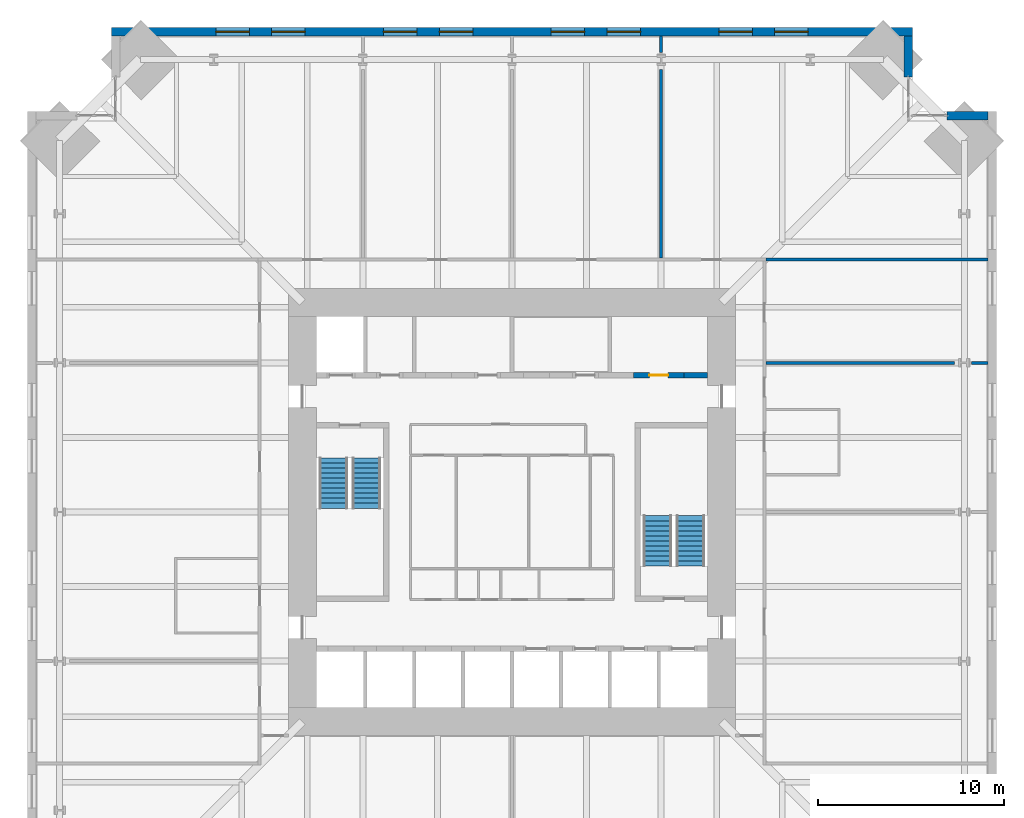
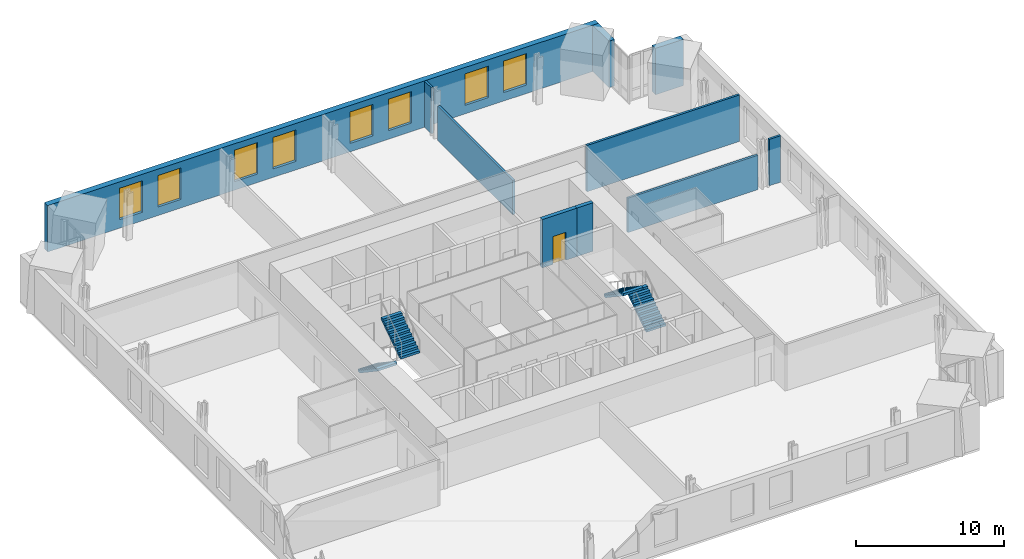
# One storey, part 17 of 18: 10 walls, 8 windows, 4 stair flights, 1 door, 9 openings, 2 elements without a shape of their own.
"""IFC4 building model written with IfcOpenShell, lengths in metres."""

from ifc_helpers import new_model, si_unit, direction, frame, frame_2d, origin, place, context, subcontext, project, spatial, polyline, rectangle, outline, extrude, material, layer, layer_set, type_object, element, fill, aggregate, save


model = new_model("IFC4")

# Units and contexts
model_context = context("Model", 3, precision=1e-05, world=origin(), true_north=direction((0.0, 1.0)))
body_context = subcontext(model_context, "Body", "Model", "MODEL_VIEW")
ifc_project = project(units=[si_unit("LENGTHUNIT", "METRE"), si_unit("AREAUNIT", "SQUARE_METRE"), si_unit("VOLUMEUNIT", "CUBIC_METRE"), si_unit("PLANEANGLEUNIT", "RADIAN"), si_unit("MASSUNIT", "GRAM", prefix="KILO")], contexts=[model_context])

# Site, building, storey
site_placement = place(None, origin())
site = spatial("IfcSite", under=ifc_project, at=site_placement, CompositionType="ELEMENT")
building_placement = place(site_placement, origin())
building = spatial("IfcBuilding", under=site, at=building_placement, Name="Peilmerk Tower", CompositionType="ELEMENT")
storey_placement = place(building_placement, frame((0.0, 0.0, 163.800048828125)))
storey = spatial("IfcBuildingStorey", under=building, at=storey_placement, Name="L34", CompositionType="ELEMENT", Elevation=163.800048828125)

# Wall, openings, windows
ifc_material_1 = material(Name="Precast concrete C45/55, board-marked finish", Category="concrete")
ifc_layer_1 = layer(ifc_material_1, 0.449951171875)
ifc_layer_set_1 = layer_set([ifc_layer_1], Name="Precast concrete C45/55, board-marked finish")
wall_type_1 = type_object("IfcWallType", Name="EW1 450 precast concrete facade wall, board-marked", PredefinedType="SOLIDWALL", material=ifc_layer_set_1)
wall_1_placement = place(storey_placement, frame((21.5, 25.77490234375, 0.0), z_axis=(0.0, 0.0, 1.0), x_axis=(-1.0, 0.0, 0.0)))
wall_1 = element("IfcWall", 1, at=wall_1_placement, inside=storey, type_object=wall_type_1, Name="Facade wall N L34", PredefinedType="SOLIDWALL", context=body_context, shape_type="SweptSolid", body=[
    extrude(rectangle(XDim=43.0, YDim=0.449951171875, at=frame_2d((21.5, 0.0))), origin(), (0.0, 0.0, 1.0), 3.829833984375),
])
opening_1_placement = place(wall_1_placement, frame((5.60009765625, 0.0, 0.699951171875)))
opening_1 = element("IfcOpeningElement", 2, at=opening_1_placement, cuts=wall_1, Name="Opening W1", PredefinedType="OPENING", context=body_context, shape_type="SweptSolid", body=[
    extrude(rectangle(XDim=1.800048828125, YDim=2.60009765625, at=frame_2d((0.89990234375, 1.300048828125))), frame((0.0, 0.23486328125, 0.0), z_axis=(0.0, -1.0, 0.0), x_axis=(1.0, 0.0, 0.0)), (0.0, 0.0, 1.0), 0.469970703125),
])
opening_2_placement = place(wall_1_placement, frame((8.60009765625, 0.0, 0.699951171875)))
opening_2 = element("IfcOpeningElement", 3, at=opening_2_placement, cuts=wall_1, Name="Opening W1", PredefinedType="OPENING", context=body_context, shape_type="SweptSolid", body=[
    extrude(rectangle(XDim=1.800048828125, YDim=2.60009765625, at=frame_2d((0.89990234375, 1.300048828125))), frame((0.0, 0.23486328125, 0.0), z_axis=(0.0, -1.0, 0.0), x_axis=(1.0, 0.0, 0.0)), (0.0, 0.0, 1.0), 0.469970703125),
])
opening_3_placement = place(wall_1_placement, frame((14.60009765625, 0.0, 0.699951171875)))
opening_3 = element("IfcOpeningElement", 4, at=opening_3_placement, cuts=wall_1, Name="Opening W1", PredefinedType="OPENING", context=body_context, shape_type="SweptSolid", body=[
    extrude(rectangle(XDim=1.800048828125, YDim=2.60009765625, at=frame_2d((0.89990234375, 1.300048828125))), frame((0.0, 0.23486328125, 0.0), z_axis=(0.0, -1.0, 0.0), x_axis=(1.0, 0.0, 0.0)), (0.0, 0.0, 1.0), 0.469970703125),
])
opening_4_placement = place(wall_1_placement, frame((17.60009765625, 0.0, 0.699951171875)))
opening_4 = element("IfcOpeningElement", 5, at=opening_4_placement, cuts=wall_1, Name="Opening W1", PredefinedType="OPENING", context=body_context, shape_type="SweptSolid", body=[
    extrude(rectangle(XDim=1.800048828125, YDim=2.60009765625, at=frame_2d((0.89990234375, 1.300048828125))), frame((0.0, 0.23486328125, 0.0), z_axis=(0.0, -1.0, 0.0), x_axis=(1.0, 0.0, 0.0)), (0.0, 0.0, 1.0), 0.469970703125),
])
opening_5_placement = place(wall_1_placement, frame((23.60009765625, 0.0, 0.699951171875)))
opening_5 = element("IfcOpeningElement", 6, at=opening_5_placement, cuts=wall_1, Name="Opening W1", PredefinedType="OPENING", context=body_context, shape_type="SweptSolid", body=[
    extrude(rectangle(XDim=1.800048828125, YDim=2.60009765625, at=frame_2d((0.89990234375, 1.300048828125))), frame((0.0, 0.23486328125, 0.0), z_axis=(0.0, -1.0, 0.0), x_axis=(1.0, 0.0, 0.0)), (0.0, 0.0, 1.0), 0.469970703125),
])
opening_6_placement = place(wall_1_placement, frame((26.60009765625, 0.0, 0.699951171875)))
opening_6 = element("IfcOpeningElement", 7, at=opening_6_placement, cuts=wall_1, Name="Opening W1", PredefinedType="OPENING", context=body_context, shape_type="SweptSolid", body=[
    extrude(rectangle(XDim=1.800048828125, YDim=2.60009765625, at=frame_2d((0.89990234375, 1.300048828125))), frame((0.0, 0.23486328125, 0.0), z_axis=(0.0, -1.0, 0.0), x_axis=(1.0, 0.0, 0.0)), (0.0, 0.0, 1.0), 0.469970703125),
])
opening_7_placement = place(wall_1_placement, frame((32.60009765625, 0.0, 0.699951171875)))
opening_7 = element("IfcOpeningElement", 8, at=opening_7_placement, cuts=wall_1, Name="Opening W1", PredefinedType="OPENING", context=body_context, shape_type="SweptSolid", body=[
    extrude(rectangle(XDim=1.800048828125, YDim=2.60009765625, at=frame_2d((0.89990234375, 1.300048828125))), frame((0.0, 0.23486328125, 0.0), z_axis=(0.0, -1.0, 0.0), x_axis=(1.0, 0.0, 0.0)), (0.0, 0.0, 1.0), 0.469970703125),
])
opening_8_placement = place(wall_1_placement, frame((35.60009765625, 0.0, 0.699951171875)))
opening_8 = element("IfcOpeningElement", 9, at=opening_8_placement, cuts=wall_1, Name="Opening W1", PredefinedType="OPENING", context=body_context, shape_type="SweptSolid", body=[
    extrude(rectangle(XDim=1.800048828125, YDim=2.60009765625, at=frame_2d((0.89990234375, 1.300048828125))), frame((0.0, 0.23486328125, 0.0), z_axis=(0.0, -1.0, 0.0), x_axis=(1.0, 0.0, 0.0)), (0.0, 0.0, 1.0), 0.469970703125),
])
ifc_material_2 = material(Name="Aluminium frame, clear double glazing", Category="aluminium")
window_type = type_object("IfcWindowType", Name="W1 1800x2600 office window", PartitioningType="SINGLE_PANEL", PredefinedType="WINDOW", material=ifc_material_2)
window_1_placement = place(opening_1_placement, origin())
window_1 = element("IfcWindow", 10, at=window_1_placement, inside=storey, type_object=window_type, Name="Window W1 L34", OverallHeight=2.60009765625, OverallWidth=1.800048828125, PartitioningType="SINGLE_PANEL", PredefinedType="WINDOW", context=body_context, shape_type="SweptSolid", body=[
    extrude(rectangle(XDim=1.800048828125, YDim=2.60009765625, at=frame_2d((0.89990234375, 1.300048828125))), frame((0.0, 0.030029296875, 0.0), z_axis=(0.0, -1.0, 0.0), x_axis=(1.0, 0.0, 0.0)), (0.0, 0.0, 1.0), 0.06005859375),
])
fill(opening_1, window_1)
window_2_placement = place(opening_2_placement, origin())
window_2 = element("IfcWindow", 11, at=window_2_placement, inside=storey, type_object=window_type, Name="Window W1 L34", OverallHeight=2.60009765625, OverallWidth=1.800048828125, PartitioningType="SINGLE_PANEL", PredefinedType="WINDOW", context=body_context, shape_type="SweptSolid", body=[
    extrude(rectangle(XDim=1.800048828125, YDim=2.60009765625, at=frame_2d((0.89990234375, 1.300048828125))), frame((0.0, 0.030029296875, 0.0), z_axis=(0.0, -1.0, 0.0), x_axis=(1.0, 0.0, 0.0)), (0.0, 0.0, 1.0), 0.06005859375),
])
fill(opening_2, window_2)
window_3_placement = place(opening_3_placement, origin())
window_3 = element("IfcWindow", 12, at=window_3_placement, inside=storey, type_object=window_type, Name="Window W1 L34", OverallHeight=2.60009765625, OverallWidth=1.800048828125, PartitioningType="SINGLE_PANEL", PredefinedType="WINDOW", context=body_context, shape_type="SweptSolid", body=[
    extrude(rectangle(XDim=1.800048828125, YDim=2.60009765625, at=frame_2d((0.89990234375, 1.300048828125))), frame((0.0, 0.030029296875, 0.0), z_axis=(0.0, -1.0, 0.0), x_axis=(1.0, 0.0, 0.0)), (0.0, 0.0, 1.0), 0.06005859375),
])
fill(opening_3, window_3)
window_4_placement = place(opening_4_placement, origin())
window_4 = element("IfcWindow", 13, at=window_4_placement, inside=storey, type_object=window_type, Name="Window W1 L34", OverallHeight=2.60009765625, OverallWidth=1.800048828125, PartitioningType="SINGLE_PANEL", PredefinedType="WINDOW", context=body_context, shape_type="SweptSolid", body=[
    extrude(rectangle(XDim=1.800048828125, YDim=2.60009765625, at=frame_2d((0.89990234375, 1.300048828125))), frame((0.0, 0.030029296875, 0.0), z_axis=(0.0, -1.0, 0.0), x_axis=(1.0, 0.0, 0.0)), (0.0, 0.0, 1.0), 0.06005859375),
])
fill(opening_4, window_4)
window_5_placement = place(opening_5_placement, origin())
window_5 = element("IfcWindow", 14, at=window_5_placement, inside=storey, type_object=window_type, Name="Window W1 L34", OverallHeight=2.60009765625, OverallWidth=1.800048828125, PartitioningType="SINGLE_PANEL", PredefinedType="WINDOW", context=body_context, shape_type="SweptSolid", body=[
    extrude(rectangle(XDim=1.800048828125, YDim=2.60009765625, at=frame_2d((0.89990234375, 1.300048828125))), frame((0.0, 0.030029296875, 0.0), z_axis=(0.0, -1.0, 0.0), x_axis=(1.0, 0.0, 0.0)), (0.0, 0.0, 1.0), 0.06005859375),
])
fill(opening_5, window_5)
window_6_placement = place(opening_6_placement, origin())
window_6 = element("IfcWindow", 15, at=window_6_placement, inside=storey, type_object=window_type, Name="Window W1 L34", OverallHeight=2.60009765625, OverallWidth=1.800048828125, PartitioningType="SINGLE_PANEL", PredefinedType="WINDOW", context=body_context, shape_type="SweptSolid", body=[
    extrude(rectangle(XDim=1.800048828125, YDim=2.60009765625, at=frame_2d((0.89990234375, 1.300048828125))), frame((0.0, 0.030029296875, 0.0), z_axis=(0.0, -1.0, 0.0), x_axis=(1.0, 0.0, 0.0)), (0.0, 0.0, 1.0), 0.06005859375),
])
fill(opening_6, window_6)
window_7_placement = place(opening_7_placement, origin())
window_7 = element("IfcWindow", 16, at=window_7_placement, inside=storey, type_object=window_type, Name="Window W1 L34", OverallHeight=2.60009765625, OverallWidth=1.800048828125, PartitioningType="SINGLE_PANEL", PredefinedType="WINDOW", context=body_context, shape_type="SweptSolid", body=[
    extrude(rectangle(XDim=1.800048828125, YDim=2.60009765625, at=frame_2d((0.89990234375, 1.300048828125))), frame((0.0, 0.030029296875, 0.0), z_axis=(0.0, -1.0, 0.0), x_axis=(1.0, 0.0, 0.0)), (0.0, 0.0, 1.0), 0.06005859375),
])
fill(opening_7, window_7)
window_8_placement = place(opening_8_placement, origin())
window_8 = element("IfcWindow", 17, at=window_8_placement, inside=storey, type_object=window_type, Name="Window W1 L34", OverallHeight=2.60009765625, OverallWidth=1.800048828125, PartitioningType="SINGLE_PANEL", PredefinedType="WINDOW", context=body_context, shape_type="SweptSolid", body=[
    extrude(rectangle(XDim=1.800048828125, YDim=2.60009765625, at=frame_2d((0.89990234375, 1.300048828125))), frame((0.0, 0.030029296875, 0.0), z_axis=(0.0, -1.0, 0.0), x_axis=(1.0, 0.0, 0.0)), (0.0, 0.0, 1.0), 0.06005859375),
])
fill(opening_8, window_8)

# Walls
for number, where, z_axis, x_axis, name in (
    (18, (21.27490234375, 23.353759765625, 0.0), (0.0, 0.0, 1.0), (0.0, 1.0, 0.0), "Facade wall NEA L34"),
    (19, (23.353759765625, 21.27490234375, 0.0), (0.0, 0.0, 1.0), (1.0, 0.0, 0.0), "Facade wall NEB L34"),
):
    element("IfcWall", number, at=place(storey_placement, frame(where, z_axis=z_axis, x_axis=x_axis)), inside=storey, type_object=wall_type_1, Name=name, PredefinedType="SOLIDWALL", context=body_context, shape_type="SweptSolid", body=[
        extrude(rectangle(XDim=2.1962890625, YDim=0.449951171875, at=frame_2d((1.09814453125, 0.0))), origin(), (0.0, 0.0, 1.0), 3.829833984375),
    ])
ifc_material_3 = material(Name="Calcium silicate block", Category="masonry")
ifc_layer_2 = layer(ifc_material_3, 0.175048828125)
ifc_layer_set_2 = layer_set([ifc_layer_2], Name="Calcium silicate block")
wall_type_2 = type_object("IfcWallType", Name="IW8 175 tenant separating wall, EI 60", PredefinedType="PARTITIONING", material=ifc_layer_set_2)
wall_2_placement = place(storey_placement, frame((13.625, 13.550048828125, 0.0), z_axis=(0.0, 0.0, 1.0), x_axis=(1.0, 0.0, 0.0)))
element("IfcWall", 20, at=wall_2_placement, inside=storey, type_object=wall_type_2, Name="Tenant separating wall NE L34", PredefinedType="PARTITIONING", context=body_context, shape_type="SweptSolid", body=[
    extrude(rectangle(XDim=11.925048828125, YDim=0.175048828125, at=frame_2d((5.96240234375, 0.0))), origin(), (0.0, 0.0, 1.0), 3.829833984375),
])
wall_3_placement = place(storey_placement, frame((8.0, 13.625, 0.0), z_axis=(0.0, 0.0, 1.0), x_axis=(0.0, 1.0, 0.0)))
element("IfcWall", 21, at=wall_3_placement, inside=storey, type_object=wall_type_2, Name="Tenant separating wall N3 L34", PredefinedType="PARTITIONING", context=body_context, shape_type="SweptSolid", body=[
    extrude(rectangle(XDim=10.1416015625, YDim=0.175048828125, at=frame_2d((5.07080078125, 0.0))), origin(), (0.0, 0.0, 1.0), 2.83984375),
])
wall_4_placement = place(storey_placement, frame((8.0, 24.656005859375, 0.0), z_axis=(0.0, 0.0, 1.0), x_axis=(0.0, 1.0, 0.0)))
element("IfcWall", 22, at=wall_4_placement, inside=storey, type_object=wall_type_2, Name="Tenant separating wall N3b L34", PredefinedType="PARTITIONING", context=body_context, shape_type="SweptSolid", body=[
    extrude(rectangle(XDim=0.89404296875, YDim=0.175048828125, at=frame_2d((0.447021484375, 0.0))), origin(), (0.0, 0.0, 1.0), 3.829833984375),
])
wall_5_placement = place(storey_placement, frame((13.625, 8.0, 0.0), z_axis=(0.0, 0.0, 1.0), x_axis=(1.0, 0.0, 0.0)))
element("IfcWall", 23, at=wall_5_placement, inside=storey, type_object=wall_type_2, Name="Tenant separating wall E2 L34", PredefinedType="PARTITIONING", context=body_context, shape_type="SweptSolid", body=[
    extrude(rectangle(XDim=10.1416015625, YDim=0.175048828125, at=frame_2d((5.07080078125, 0.0))), origin(), (0.0, 0.0, 1.0), 2.83984375),
])
wall_6_placement = place(storey_placement, frame((24.656005859375, 8.0, 0.0), z_axis=(0.0, 0.0, 1.0), x_axis=(1.0, 0.0, 0.0)))
element("IfcWall", 24, at=wall_6_placement, inside=storey, type_object=wall_type_2, Name="Tenant separating wall E2b L34", PredefinedType="PARTITIONING", context=body_context, shape_type="SweptSolid", body=[
    extrude(rectangle(XDim=0.89404296875, YDim=0.175048828125, at=frame_2d((0.447021484375, 0.0))), origin(), (0.0, 0.0, 1.0), 3.829833984375),
])

# Wall, opening, door
ifc_layer_3 = layer(ifc_material_3, 0.300048828125)
ifc_layer_set_3 = layer_set([ifc_layer_3], Name="Calcium silicate block")
wall_type_3 = type_object("IfcWallType", Name="SH2 300 lift landing door panel, EI 120", PredefinedType="PARTITIONING", material=ifc_layer_set_3)
wall_7_placement = place(storey_placement, frame((6.52490234375, 7.35009765625, 0.0), z_axis=(0.0, 0.0, 1.0), x_axis=(1.0, 0.0, 0.0)))
wall_7 = element("IfcWall", 25, at=wall_7_placement, inside=storey, type_object=wall_type_3, Name="Lift door panel N GL1 L34", PredefinedType="PARTITIONING", context=body_context, shape_type="SweptSolid", body=[
    extrude(rectangle(XDim=2.7001953125, YDim=0.300048828125, at=frame_2d((1.35009765625, 0.0))), origin(), (0.0, 0.0, 1.0), 4.0),
])
opening_9_placement = place(wall_7_placement, frame((0.85009765625, 0.0, 0.0)))
opening_9 = element("IfcOpeningElement", 26, at=opening_9_placement, cuts=wall_7, Name="Opening D10", PredefinedType="OPENING", context=body_context, shape_type="SweptSolid", body=[
    extrude(rectangle(XDim=1.0, YDim=2.300048828125, at=frame_2d((0.5, 1.14990234375))), frame((0.0, 0.159912109375, 0.0), z_axis=(0.0, -1.0, 0.0), x_axis=(1.0, 0.0, 0.0)), (0.0, 0.0, 1.0), 0.320068359375),
])
ifc_material_4 = material(Name="Steel door in steel frame", Category="steel")
door_type = type_object("IfcDoorType", Name="D10 1000x2300 core room door, EI2 60", OperationType="SINGLE_SWING_RIGHT", PredefinedType="DOOR", material=ifc_material_4)
door_placement = place(opening_9_placement, origin())
door = element("IfcDoor", 27, at=door_placement, inside=storey, type_object=door_type, Name="Door Staff WC L34", OperationType="SINGLE_SWING_RIGHT", OverallHeight=2.300048828125, OverallWidth=1.0, PredefinedType="DOOR", context=body_context, shape_type="SweptSolid", body=[
    extrude(rectangle(XDim=1.0, YDim=2.300048828125, at=frame_2d((0.5, 1.14990234375))), frame((0.0, 0.02490234375, 0.0), z_axis=(0.0, -1.0, 0.0), x_axis=(1.0, 0.0, 0.0)), (0.0, 0.0, 1.0), 0.050048828125),
])
fill(opening_9, door)

# Wall
ifc_material_5 = material(Name="Concrete C55/67", Category="concrete")
ifc_layer_4 = layer(ifc_material_5, 0.300048828125)
ifc_layer_set_4 = layer_set([ifc_layer_4], Name="Concrete C55/67")
wall_type_4 = type_object("IfcWallType", Name="SW2 300 lift bank pier", PredefinedType="SHEAR", material=ifc_layer_set_4)
wall_8_placement = place(storey_placement, frame((9.22509765625, 7.35009765625, 0.0), z_axis=(0.0, 0.0, 1.0), x_axis=(1.0, 0.0, 0.0)))
element("IfcWall", 28, at=wall_8_placement, inside=storey, type_object=wall_type_4, Name="Lift bank pier N L34", PredefinedType="SHEAR", context=body_context, shape_type="SweptSolid", body=[
    extrude(rectangle(XDim=1.27490234375, YDim=0.300048828125, at=frame_2d((0.637451171875, 0.0))), origin(), (0.0, 0.0, 1.0), 4.0),
])

# Stair, stair flights
ifc_material_6 = material(Name="Precast concrete C45/55", Category="concrete")
stair_type_1 = type_object("IfcStairType", Name="ST1 22 risers of 181.8", PredefinedType="HALF_TURN_STAIR", material=ifc_material_6)
stair_1_placement = place(storey_placement, origin())
stair_1 = element("IfcStair", 29, at=stair_1_placement, inside=storey, type_object=stair_type_1, Name="Stair 1 L34 to L35", PredefinedType="HALF_TURN_STAIR")
stair_flight_type = type_object("IfcStairFlightType", Name="SF11 flight, 11 risers of 181.8", PredefinedType="STRAIGHT", material=ifc_material_6)
stair_flight_1_placement = place(storey_placement, frame((-9.60009765625, 2.89990234375, 0.0), z_axis=(0.0, 0.0, 1.0), x_axis=(0.0, -1.0, 0.0)))
stair_flight_1 = element("IfcStairFlight", 30, at=stair_flight_1_placement, type_object=stair_flight_type, Name="ST1 flight 1", NumberOfRisers=11, NumberOfTreads=10, PredefinedType="STRAIGHT", RiserHeight=0.181818182, TreadLength=0.27, context=body_context, shape_type="SweptSolid", body=[
    extrude(outline(polyline([(0.0, 0.0), (0.0, 0.181884765625), (0.27001953125, 0.181884765625), (0.27001953125, 0.363525390625), (0.5400390625, 0.363525390625), (0.5400390625, 0.54541015625), (0.81005859375, 0.54541015625), (0.81005859375, 0.727294921875), (1.080078125, 0.727294921875), (1.080078125, 0.9091796875), (1.35009765625, 0.9091796875), (1.35009765625, 1.0908203125), (1.6201171875, 1.0908203125), (1.6201171875, 1.272705078125), (1.889892578125, 1.272705078125), (1.889892578125, 1.45458984375), (2.159912109375, 1.45458984375), (2.159912109375, 1.636474609375), (2.429931640625, 1.636474609375), (2.429931640625, 1.818115234375), (2.699951171875, 1.818115234375), (2.699951171875, 2.0), (2.699951171875, 1.637451171875), (0.268310546875, 0.0), (0.0, 0.0)])), frame((0.0, 0.75, 0.0), z_axis=(0.0, -1.0, 0.0), x_axis=(1.0, 0.0, 0.0)), (0.0, 0.0, 1.0), 1.5),
])
stair_flight_2_placement = place(storey_placement, frame((-7.800048828125, 0.199951171875, 2.0), z_axis=(0.0, 0.0, 1.0), x_axis=(0.0, 1.0, 0.0)))
stair_flight_2 = element("IfcStairFlight", 31, at=stair_flight_2_placement, type_object=stair_flight_type, Name="ST1 flight 2", NumberOfRisers=11, NumberOfTreads=10, PredefinedType="STRAIGHT", RiserHeight=0.181818182, TreadLength=0.27, context=body_context, shape_type="SweptSolid", body=[
    extrude(outline(polyline([(0.0, 0.0), (0.0, 0.181884765625), (0.27001953125, 0.181884765625), (0.27001953125, 0.363525390625), (0.5400390625, 0.363525390625), (0.5400390625, 0.54541015625), (0.81005859375, 0.54541015625), (0.81005859375, 0.727294921875), (1.080078125, 0.727294921875), (1.080078125, 0.9091796875), (1.35009765625, 0.9091796875), (1.35009765625, 1.0908203125), (1.6201171875, 1.0908203125), (1.6201171875, 1.272705078125), (1.889892578125, 1.272705078125), (1.889892578125, 1.45458984375), (2.159912109375, 1.45458984375), (2.159912109375, 1.636474609375), (2.429931640625, 1.636474609375), (2.429931640625, 1.818115234375), (2.699951171875, 1.818115234375), (2.699951171875, 2.0), (2.699951171875, 1.637451171875), (0.268310546875, 0.0), (0.0, 0.0)])), frame((0.0, 0.75, 0.0), z_axis=(0.0, -1.0, 0.0), x_axis=(1.0, 0.0, 0.0)), (0.0, 0.0, 1.0), 1.5),
])
aggregate(stair_1, [stair_flight_1, stair_flight_2])

stair_type_2 = type_object("IfcStairType", Name="ST2 22 risers of 181.8", PredefinedType="HALF_TURN_STAIR", material=ifc_material_6)
stair_2_placement = place(storey_placement, origin())
stair_2 = element("IfcStair", 32, at=stair_2_placement, inside=storey, type_object=stair_type_2, Name="Stair 2 L34 to L35", PredefinedType="HALF_TURN_STAIR")
stair_flight_3_placement = place(storey_placement, frame((9.60009765625, -2.89990234375, 0.0), z_axis=(0.0, 0.0, 1.0), x_axis=(0.0, 1.0, 0.0)))
stair_flight_3 = element("IfcStairFlight", 33, at=stair_flight_3_placement, type_object=stair_flight_type, Name="ST2 flight 1", NumberOfRisers=11, NumberOfTreads=10, PredefinedType="STRAIGHT", RiserHeight=0.181818182, TreadLength=0.27, context=body_context, shape_type="SweptSolid", body=[
    extrude(outline(polyline([(0.0, 0.0), (0.0, 0.181884765625), (0.27001953125, 0.181884765625), (0.27001953125, 0.363525390625), (0.5400390625, 0.363525390625), (0.5400390625, 0.54541015625), (0.81005859375, 0.54541015625), (0.81005859375, 0.727294921875), (1.080078125, 0.727294921875), (1.080078125, 0.9091796875), (1.35009765625, 0.9091796875), (1.35009765625, 1.0908203125), (1.6201171875, 1.0908203125), (1.6201171875, 1.272705078125), (1.889892578125, 1.272705078125), (1.889892578125, 1.45458984375), (2.159912109375, 1.45458984375), (2.159912109375, 1.636474609375), (2.429931640625, 1.636474609375), (2.429931640625, 1.818115234375), (2.699951171875, 1.818115234375), (2.699951171875, 2.0), (2.699951171875, 1.637451171875), (0.268310546875, 0.0), (0.0, 0.0)])), frame((0.0, 0.75, 0.0), z_axis=(0.0, -1.0, 0.0), x_axis=(1.0, 0.0, 0.0)), (0.0, 0.0, 1.0), 1.5),
])
stair_flight_4_placement = place(storey_placement, frame((7.800048828125, -0.199951171875, 2.0), z_axis=(0.0, 0.0, 1.0), x_axis=(0.0, -1.0, 0.0)))
stair_flight_4 = element("IfcStairFlight", 34, at=stair_flight_4_placement, type_object=stair_flight_type, Name="ST2 flight 2", NumberOfRisers=11, NumberOfTreads=10, PredefinedType="STRAIGHT", RiserHeight=0.181818182, TreadLength=0.27, context=body_context, shape_type="SweptSolid", body=[
    extrude(outline(polyline([(0.0, 0.0), (0.0, 0.181884765625), (0.27001953125, 0.181884765625), (0.27001953125, 0.363525390625), (0.5400390625, 0.363525390625), (0.5400390625, 0.54541015625), (0.81005859375, 0.54541015625), (0.81005859375, 0.727294921875), (1.080078125, 0.727294921875), (1.080078125, 0.9091796875), (1.35009765625, 0.9091796875), (1.35009765625, 1.0908203125), (1.6201171875, 1.0908203125), (1.6201171875, 1.272705078125), (1.889892578125, 1.272705078125), (1.889892578125, 1.45458984375), (2.159912109375, 1.45458984375), (2.159912109375, 1.636474609375), (2.429931640625, 1.636474609375), (2.429931640625, 1.818115234375), (2.699951171875, 1.818115234375), (2.699951171875, 2.0), (2.699951171875, 1.637451171875), (0.268310546875, 0.0), (0.0, 0.0)])), frame((0.0, 0.75, 0.0), z_axis=(0.0, -1.0, 0.0), x_axis=(1.0, 0.0, 0.0)), (0.0, 0.0, 1.0), 1.5),
])
aggregate(stair_2, [stair_flight_3, stair_flight_4])

save(model, "model.ifc")
